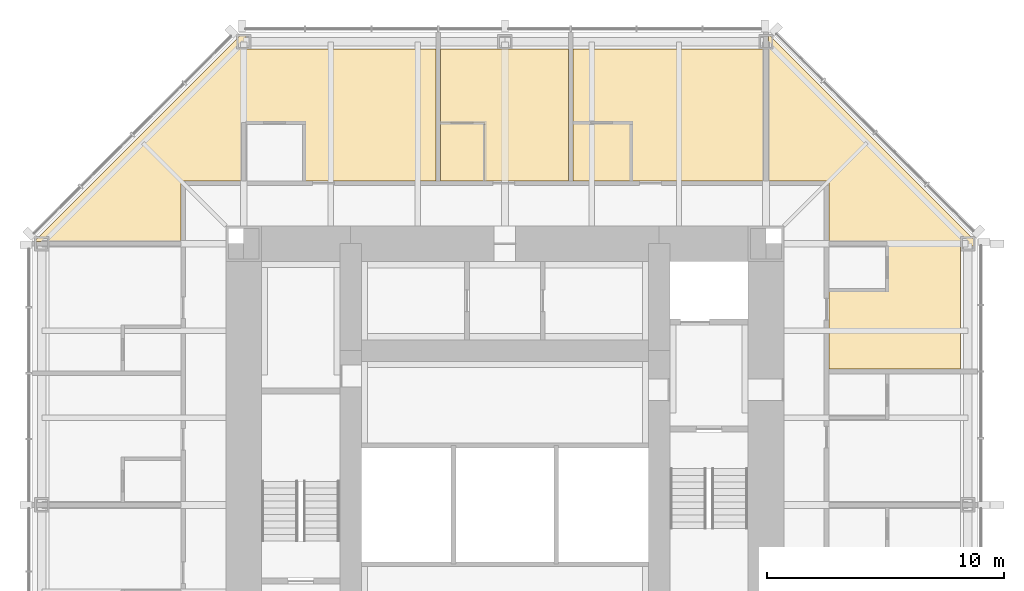
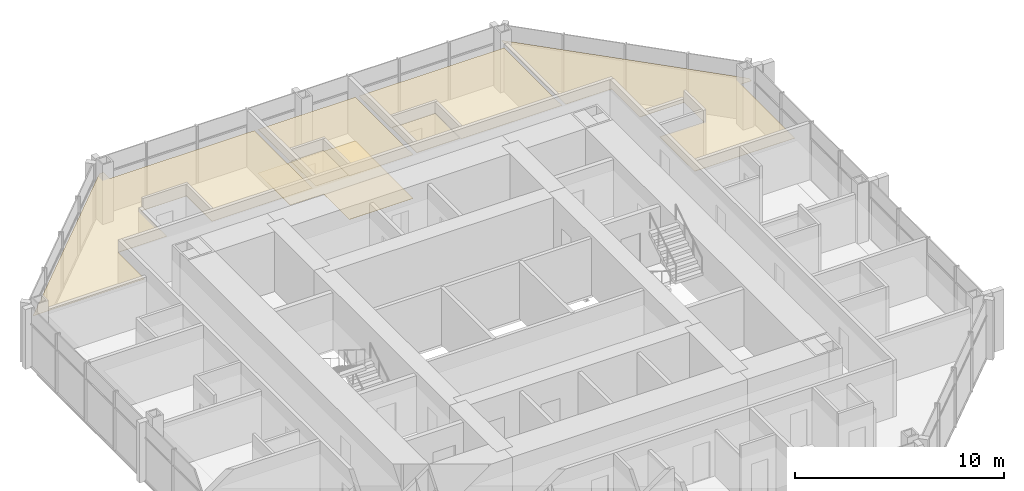
# One storey, part 12 of 12: 7 coverings.
"""IFC4 building model written with IfcOpenShell, lengths in metres."""

from ifc_helpers import new_model, si_unit, direction, frame, origin, place, context, subcontext, project, spatial, polyline, outline, extrude, material, layer, layer_set, type_object, element, save


model = new_model("IFC4")

# Units and contexts
model_context = context("Model", 3, precision=1e-05, world=origin(), true_north=direction((0.0, 1.0)))
body_context = subcontext(model_context, "Body", "Model", "MODEL_VIEW")
ifc_project = project(units=[si_unit("LENGTHUNIT", "METRE"), si_unit("AREAUNIT", "SQUARE_METRE"), si_unit("VOLUMEUNIT", "CUBIC_METRE"), si_unit("PLANEANGLEUNIT", "RADIAN"), si_unit("MASSUNIT", "GRAM", prefix="KILO")], contexts=[model_context])

# Site, building, storey
site_placement = place(None, origin())
site = spatial("IfcSite", under=ifc_project, at=site_placement, CompositionType="ELEMENT")
building_placement = place(site_placement, origin())
building = spatial("IfcBuilding", under=site, at=building_placement, Name="Trevanion Tower", CompositionType="ELEMENT")
storey_placement = place(building_placement, frame((0.0, 0.0, 208.199951171875)))
storey = spatial("IfcBuildingStorey", under=building, at=storey_placement, Name="L49", CompositionType="ELEMENT", Elevation=208.199951171875)

# Coverings
ifc_material_1 = material(Name="Gypsum plasterboard on suspended metal furring", Category="gypsum")
ifc_layer_1 = layer(ifc_material_1, 0.012939453125)
ifc_layer_set_1 = layer_set([ifc_layer_1], Name="CL3 plasterboard ceiling 13")
covering_type_1 = type_object("IfcCoveringType", Name="CL3 plasterboard ceiling 13", PredefinedType="CEILING", material=ifc_layer_set_1)
covering_1_placement = place(storey_placement, frame((0.0, 0.0, 2.551025390625)))
element("IfcCovering", 1, at=covering_1_placement, inside=storey, type_object=covering_type_1, Name="CL3 L49-GR3", PredefinedType="CEILING", context=body_context, shape_type="SweptSolid", body=[
    extrude(outline(polyline([(11.10009765625, 13.64990234375), (11.10009765625, 19.800048828125), (11.124267578125, 19.800048828125), (19.800048828125, 11.124267578125), (19.800048828125, 10.89990234375), (19.199951171875, 10.89990234375), (19.199951171875, 5.714111328125), (13.64990234375, 5.714111328125), (13.64990234375, 9.050048828125), (16.10009765625, 9.050048828125), (16.10009765625, 10.949951171875), (13.64990234375, 10.949951171875), (13.64990234375, 13.64990234375), (11.10009765625, 13.64990234375)])), origin(), (0.0, 0.0, 1.0), 0.012939453125),
])
covering_2_placement = place(storey_placement, frame((0.0, 0.0, 2.551025390625)))
element("IfcCovering", 2, at=covering_2_placement, inside=storey, type_object=covering_type_1, Name="CL3 L49-GJ", PredefinedType="CEILING", context=body_context, shape_type="SweptSolid", body=[
    extrude(outline(polyline([(5.324951171875, 13.64990234375), (5.324951171875, 16.10009765625), (2.875, 16.10009765625), (2.875, 19.199951171875), (10.89990234375, 19.199951171875), (10.89990234375, 13.64990234375), (5.324951171875, 13.64990234375)])), origin(), (0.0, 0.0, 1.0), 0.012939453125),
])
covering_3_placement = place(storey_placement, frame((0.0, 0.0, 2.551025390625)))
element("IfcCovering", 3, at=covering_3_placement, inside=storey, type_object=covering_type_1, Name="CL3 L49-GR4", PredefinedType="CEILING", context=body_context, shape_type="SweptSolid", body=[
    extrude(outline(polyline([(-0.85693359375, 13.64990234375), (-0.85693359375, 16.10009765625), (-2.70703125, 16.10009765625), (-2.70703125, 19.199951171875), (2.675048828125, 19.199951171875), (2.675048828125, 13.64990234375), (-0.85693359375, 13.64990234375)])), origin(), (0.0, 0.0, 1.0), 0.012939453125),
])
covering_4_placement = place(storey_placement, frame((0.0, 0.0, 2.551025390625)))
element("IfcCovering", 4, at=covering_4_placement, inside=storey, type_object=covering_type_1, Name="CL3 L49-GJ2", PredefinedType="CEILING", context=body_context, shape_type="SweptSolid", body=[
    extrude(outline(polyline([(-13.64990234375, 11.10009765625), (-19.800048828125, 11.10009765625), (-19.800048828125, 11.124267578125), (-11.124267578125, 19.800048828125), (-10.89990234375, 19.800048828125), (-10.89990234375, 19.199951171875), (-2.906982421875, 19.199951171875), (-2.906982421875, 13.64990234375), (-8.449951171875, 13.64990234375), (-8.449951171875, 16.10009765625), (-10.949951171875, 16.10009765625), (-10.949951171875, 13.64990234375), (-13.64990234375, 13.64990234375), (-13.64990234375, 11.10009765625)])), origin(), (0.0, 0.0, 1.0), 0.012939453125),
])
ifc_material_2 = material(Name="Moisture-resistant gypsum board on suspended metal furring", Category="gypsum")
ifc_layer_2 = layer(ifc_material_2, 0.01611328125)
ifc_layer_set_2 = layer_set([ifc_layer_2], Name="CL4 moisture-resistant board ceiling 16")
covering_type_2 = type_object("IfcCoveringType", Name="CL4 moisture-resistant board ceiling 16", PredefinedType="CEILING", material=ifc_layer_set_2)
covering_5_placement = place(storey_placement, frame((0.0, 0.0, 2.60009765625)))
element("IfcCovering", 5, at=covering_5_placement, inside=storey, type_object=covering_type_2, Name="CL4 L49-EN5", PredefinedType="CEILING", context=body_context, shape_type="SweptSolid", body=[
    extrude(outline(polyline([(5.27490234375, 16.050048828125), (2.875, 16.050048828125), (2.875, 13.64990234375), (5.27490234375, 13.64990234375), (5.27490234375, 16.050048828125)])), origin(), (0.0, 0.0, 1.0), 0.015869140625),
])
covering_6_placement = place(storey_placement, frame((0.0, 0.0, 2.60009765625)))
element("IfcCovering", 6, at=covering_6_placement, inside=storey, type_object=covering_type_2, Name="CL4 L49-EN6", PredefinedType="CEILING", context=body_context, shape_type="SweptSolid", body=[
    extrude(outline(polyline([(-0.906982421875, 16.050048828125), (-2.70703125, 16.050048828125), (-2.70703125, 13.64990234375), (-0.906982421875, 13.64990234375), (-0.906982421875, 16.050048828125)])), origin(), (0.0, 0.0, 1.0), 0.015869140625),
])
ifc_material_3 = material(Name="Wool carpet on underlay", Category="textile")
ifc_layer_3 = layer(ifc_material_3, 0.011962890625)
ifc_layer_set_3 = layer_set([ifc_layer_3], Name="FF2 carpet flooring")
covering_type_3 = type_object("IfcCoveringType", Name="FF2 carpet flooring", PredefinedType="FLOORING", material=ifc_layer_set_3)
covering_7_placement = place(storey_placement, origin())
element("IfcCovering", 7, at=covering_7_placement, inside=storey, type_object=covering_type_3, Name="FF2 L49-GR4", PredefinedType="FLOORING", context=body_context, shape_type="SweptSolid", body=[
    extrude(outline(polyline([(-0.85693359375, 13.64990234375), (-0.85693359375, 16.10009765625), (-2.70703125, 16.10009765625), (-2.70703125, 19.199951171875), (2.675048828125, 19.199951171875), (2.675048828125, 13.64990234375), (-0.85693359375, 13.64990234375)])), origin(), (0.0, 0.0, 1.0), 0.011962890625),
])

save(model, "model.ifc")
